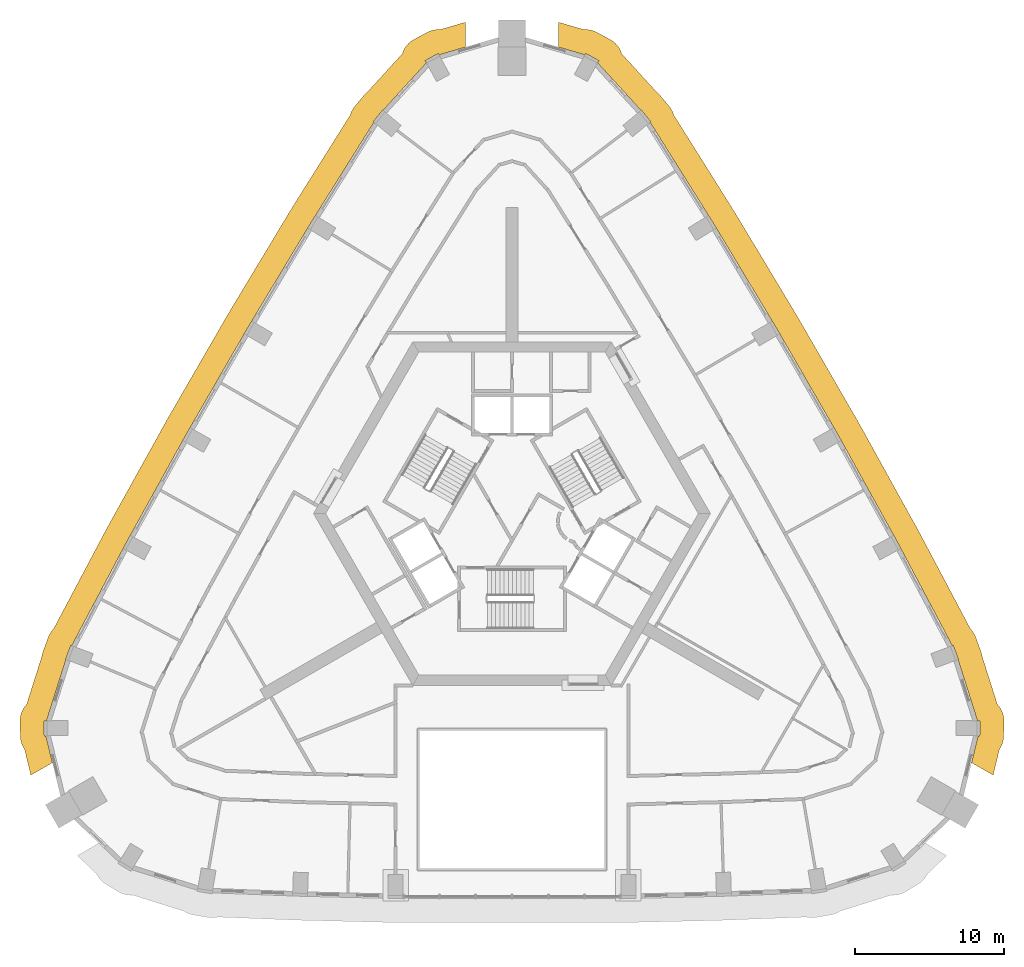
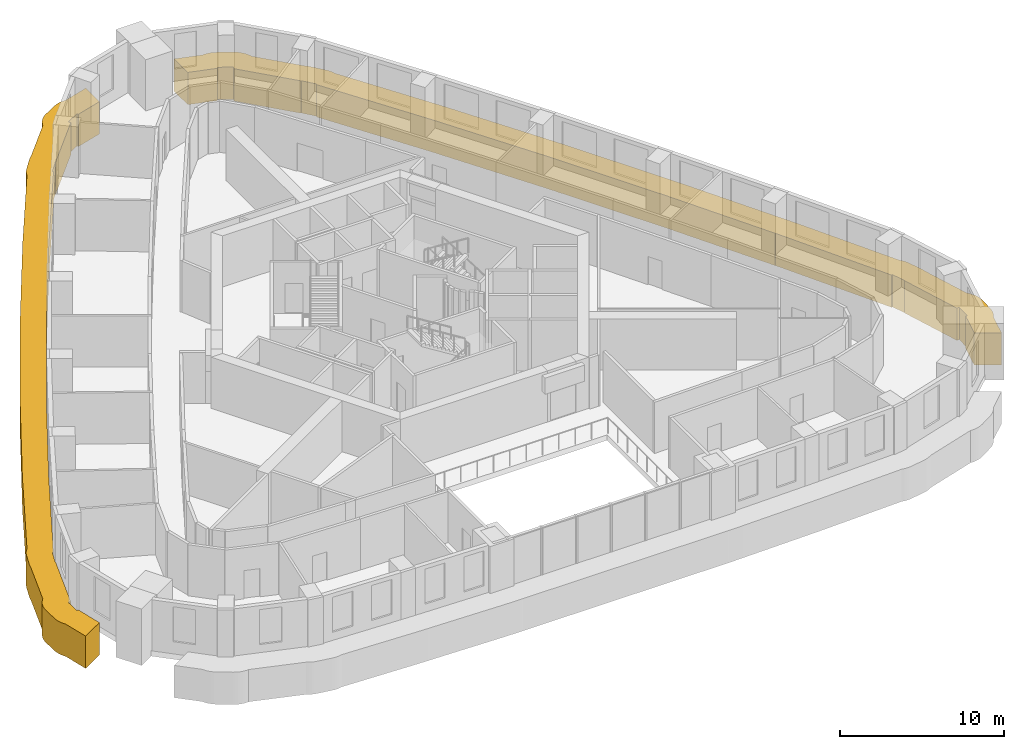
# One storey, part 13 of 13: 2 coverings.
"""IFC4 building model written with IfcOpenShell, lengths in metres."""

from ifc_helpers import new_model, si_unit, direction, frame, origin, place, context, subcontext, project, spatial, polyline, outline, extrude, material, type_object, element, save


model = new_model("IFC4")

# Units and contexts
model_context = context("Model", 3, precision=1e-05, world=origin(), true_north=direction((0.0, 1.0)))
body_context = subcontext(model_context, "Body", "Model", "MODEL_VIEW")
ifc_project = project(units=[si_unit("LENGTHUNIT", "METRE"), si_unit("AREAUNIT", "SQUARE_METRE"), si_unit("VOLUMEUNIT", "CUBIC_METRE"), si_unit("PLANEANGLEUNIT", "RADIAN"), si_unit("MASSUNIT", "GRAM", prefix="KILO")], contexts=[model_context])

# Site, building, storey
site_placement = place(None, origin())
site = spatial("IfcSite", under=ifc_project, at=site_placement, CompositionType="ELEMENT")
building_placement = place(site_placement, origin())
building = spatial("IfcBuilding", under=site, at=building_placement, Name="Entoto Arch Interchange Tower", CompositionType="ELEMENT")
storey_placement = place(building_placement, frame((0.0, 0.0, 219.199951171875)))
storey = spatial("IfcBuildingStorey", under=building, at=storey_placement, Name="L49", CompositionType="ELEMENT", Elevation=219.199951171875)

# Coverings
ifc_material = material(Name="Board-marked precast concrete C50/60", Category="concrete")
covering_type = type_object("IfcCoveringType", Name="PRECAST FRAME COURSE", PredefinedType="CLADDING", material=ifc_material)
covering_1_placement = place(storey_placement, frame((0.0, 0.0, -2.099853515625)))
element("IfcCovering", 1, at=covering_1_placement, inside=storey, type_object=covering_type, Name="Slab edge fin L49", PredefinedType="CLADDING", context=body_context, shape_type="SweptSolid", body=[
    extrude(outline(polyline([(-32.887939453125, -12.569091796875), (-32.89892578125, -12.412109375), (-32.924072265625, -11.4130859375), (-32.919921875, -11.256103515625), (-32.90087890625, -11.10009765625), (-32.865966796875, -10.947021484375), (-32.81689453125, -10.798095703125), (-32.75390625, -10.654052734375), (-32.676025390625, -10.51708984375), (-32.5859375, -10.388916015625), (-32.48291015625, -10.27001953125), (-32.48193359375, -10.26904296875), (-31.45703125, -7.034912109375), (-31.4541015625, -7.0048828125), (-31.4208984375, -6.85107421875), (-31.3740234375, -6.701904296875), (-31.027099609375, -5.763916015625), (-30.965087890625, -5.618896484375), (-30.889892578125, -5.48193359375), (-30.801025390625, -5.35205078125), (-30.699951171875, -5.23193359375), (-30.6708984375, -5.202880859375), (-27.465087890625, 0.847900390625), (-27.430908203125, 0.919921875), (-26.95703125, 1.801025390625), (-26.947021484375, 1.818115234375), (-23.47412109375, 8.08203125), (-23.429931640625, 8.169921875), (-22.93896484375, 9.041015625), (-22.929931640625, 9.054931640625), (-19.35595703125, 15.237060546875), (-19.299072265625, 15.344970703125), (-18.7900390625, 16.2060546875), (-18.782958984375, 16.218017578125), (-15.110107421875, 22.31494140625), (-15.0380859375, 22.445068359375), (-14.512939453125, 23.2958984375), (-14.506103515625, 23.305908203125), (-10.8291015625, 29.1650390625), (-10.819091796875, 29.202880859375), (-10.764892578125, 29.35107421875), (-10.697021484375, 29.491943359375), (-10.615966796875, 29.626953125), (-10.52197265625, 29.751953125), (-9.883056640625, 30.52197265625), (-9.777099609375, 30.636962890625), (-9.659912109375, 30.741943359375), (-9.635009765625, 30.760009765625), (-7.346923828125, 33.263916015625), (-7.346923828125, 33.26611328125), (-7.294921875, 33.4140625), (-7.22900390625, 33.556884765625), (-7.14990234375, 33.69189453125), (-7.056884765625, 33.819091796875), (-6.951904296875, 33.93603515625), (-6.8369140625, 34.0419921875), (-6.7119140625, 34.136962890625), (-6.577880859375, 34.218994140625), (-5.699951171875, 34.697021484375), (-5.55810546875, 34.764892578125), (-5.410888671875, 34.820068359375), (-5.259033203125, 34.85888671875), (-5.10400390625, 34.883056640625), (-4.947021484375, 34.89208984375), (-4.80908203125, 34.886962890625), (-3.10498046875, 35.386962890625), (-3.10498046875, 33.719970703125), (-4.882080078125, 33.197021484375), (-4.93408203125, 33.2919921875), (-5.373046875, 33.052978515625), (-5.81201171875, 32.81396484375), (-5.72998046875, 32.6630859375), (-8.633056640625, 29.485107421875), (-8.652099609375, 29.5), (-8.970947265625, 29.114990234375), (-9.2900390625, 28.72998046875), (-9.239013671875, 28.68798828125), (-13.14794921875, 22.4541015625), (-13.15087890625, 22.455078125), (-13.4140625, 22.030029296875), (-13.677001953125, 21.60498046875), (-13.672119140625, 21.60205078125), (-17.408935546875, 15.389892578125), (-17.4130859375, 15.39306640625), (-17.6669921875, 14.9619140625), (-17.9208984375, 14.531005859375), (-17.9169921875, 14.529052734375), (-21.541015625, 8.251953125), (-21.544921875, 8.25390625), (-21.791015625, 7.819091796875), (-22.037109375, 7.384033203125), (-22.032958984375, 7.382080078125), (-25.54296875, 1.0400390625), (-25.548095703125, 1.0419921875), (-25.784912109375, 0.60205078125), (-26.02197265625, 0.162109375), (-26.01904296875, 0.159912109375), (-29.464111328125, -6.342041015625), (-29.52587890625, -6.319091796875), (-29.699951171875, -6.7880859375), (-29.8740234375, -7.257080078125), (-29.85107421875, -7.264892578125), (-31.152099609375, -11.368896484375), (-31.323974609375, -11.373046875), (-31.31201171875, -11.873046875), (-31.300048828125, -12.373046875), (-31.19091796875, -12.3701171875), (-30.7548828125, -14.1708984375), (-32.198974609375, -15.0048828125), (-32.616943359375, -13.279052734375), (-32.69189453125, -13.162109375), (-32.761962890625, -13.02099609375), (-32.819091796875, -12.875), (-32.861083984375, -12.72412109375), (-32.887939453125, -12.569091796875)])), origin(), (0.0, 0.0, 1.0), 2.39990234375),
])
covering_2_placement = place(storey_placement, frame((0.0, 0.0, -2.099853515625)))
element("IfcCovering", 2, at=covering_2_placement, inside=storey, type_object=covering_type, Name="Slab edge fin L49", PredefinedType="CLADDING", context=body_context, shape_type="SweptSolid", body=[
    extrude(outline(polyline([(5.259033203125, 34.85888671875), (5.410888671875, 34.820068359375), (5.55810546875, 34.764892578125), (5.699951171875, 34.697021484375), (6.577880859375, 34.218994140625), (6.7119140625, 34.136962890625), (6.8369140625, 34.0419921875), (6.951904296875, 33.93603515625), (7.056884765625, 33.819091796875), (7.14990234375, 33.69189453125), (7.22900390625, 33.556884765625), (7.294921875, 33.4140625), (7.346923828125, 33.26611328125), (7.346923828125, 33.263916015625), (9.635009765625, 30.760009765625), (9.659912109375, 30.741943359375), (9.777099609375, 30.636962890625), (9.883056640625, 30.52197265625), (10.52197265625, 29.751953125), (10.615966796875, 29.626953125), (10.697021484375, 29.491943359375), (10.764892578125, 29.35107421875), (10.819091796875, 29.202880859375), (10.8291015625, 29.1640625), (14.467041015625, 23.363037109375), (14.512939453125, 23.2958984375), (15.0380859375, 22.445068359375), (15.048095703125, 22.427978515625), (18.737060546875, 16.2880859375), (18.7900390625, 16.2060546875), (19.299072265625, 15.344970703125), (19.306884765625, 15.3310546875), (22.8740234375, 9.14404296875), (22.93896484375, 9.041015625), (23.429931640625, 8.169921875), (23.43701171875, 8.156982421875), (26.8798828125, 1.927001953125), (26.95703125, 1.801025390625), (27.430908203125, 0.919921875), (27.43603515625, 0.909912109375), (30.672119140625, -5.2041015625), (30.699951171875, -5.23193359375), (30.801025390625, -5.35205078125), (30.889892578125, -5.48193359375), (30.965087890625, -5.618896484375), (31.027099609375, -5.763916015625), (31.3740234375, -6.701904296875), (31.4208984375, -6.85107421875), (31.4541015625, -7.0048828125), (31.45703125, -7.034912109375), (32.48193359375, -10.26904296875), (32.48291015625, -10.27001953125), (32.5859375, -10.388916015625), (32.676025390625, -10.51708984375), (32.75390625, -10.654052734375), (32.81689453125, -10.798095703125), (32.865966796875, -10.947021484375), (32.90087890625, -11.10009765625), (32.919921875, -11.256103515625), (32.924072265625, -11.4130859375), (32.89892578125, -12.412109375), (32.887939453125, -12.569091796875), (32.861083984375, -12.72412109375), (32.819091796875, -12.875), (32.761962890625, -13.02099609375), (32.69189453125, -13.162109375), (32.616943359375, -13.279052734375), (32.198974609375, -15.0048828125), (30.7548828125, -14.1708984375), (31.19091796875, -12.3701171875), (31.300048828125, -12.373046875), (31.31201171875, -11.873046875), (31.323974609375, -11.373046875), (31.152099609375, -11.368896484375), (29.85107421875, -7.264892578125), (29.8740234375, -7.257080078125), (29.699951171875, -6.7880859375), (29.52587890625, -6.319091796875), (29.464111328125, -6.342041015625), (26.01904296875, 0.159912109375), (26.02197265625, 0.162109375), (25.784912109375, 0.60205078125), (25.548095703125, 1.0419921875), (25.54296875, 1.0400390625), (22.032958984375, 7.382080078125), (22.037109375, 7.384033203125), (21.791015625, 7.819091796875), (21.544921875, 8.25390625), (21.541015625, 8.251953125), (17.9169921875, 14.529052734375), (17.9208984375, 14.531005859375), (17.6669921875, 14.9619140625), (17.4130859375, 15.39306640625), (17.408935546875, 15.389892578125), (13.672119140625, 21.60205078125), (13.677001953125, 21.60498046875), (13.4140625, 22.030029296875), (13.15087890625, 22.455078125), (13.14794921875, 22.4541015625), (9.239013671875, 28.68798828125), (9.2900390625, 28.72998046875), (8.970947265625, 29.114990234375), (8.652099609375, 29.5), (8.633056640625, 29.485107421875), (5.72998046875, 32.6630859375), (5.81201171875, 32.81396484375), (5.373046875, 33.052978515625), (4.93408203125, 33.2919921875), (4.882080078125, 33.197021484375), (3.10498046875, 33.719970703125), (3.10498046875, 35.386962890625), (4.80908203125, 34.886962890625), (4.947021484375, 34.89208984375), (5.10400390625, 34.883056640625), (5.259033203125, 34.85888671875)])), origin(), (0.0, 0.0, 1.0), 2.39990234375),
])

save(model, "model.ifc")
